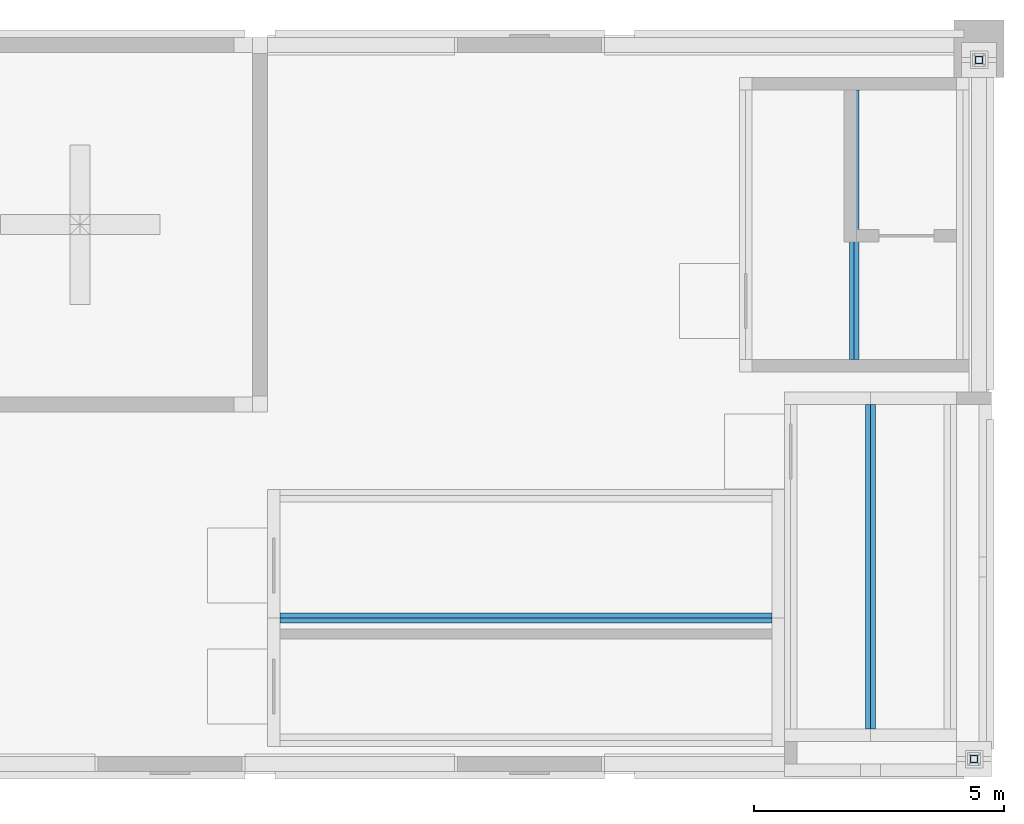
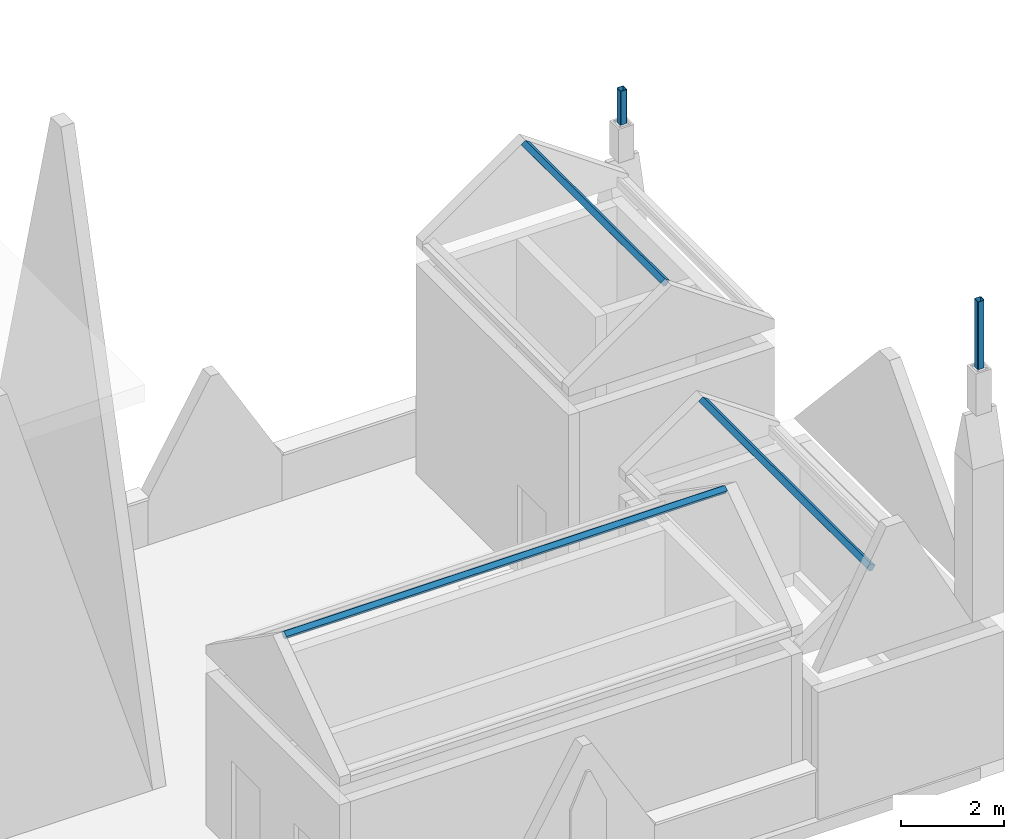
# One storey, part 2 of 10: 5 members.
"""IFC4 building model written with IfcOpenShell, lengths in metres."""

from ifc_helpers import new_model, si_unit, direction, frame, origin, origin_2d, place, context, subcontext, project, spatial, polyline, hollow_rectangle, outline, extrude, material, material_profile, profile_set, type_object, element, save


model = new_model("IFC4")

# Units and contexts
model_context = context("Model", 3, precision=1e-05, world=origin(), true_north=direction((0.0, 1.0)))
body_context = subcontext(model_context, "Body", "Model", "MODEL_VIEW")
ifc_project = project(units=[si_unit("LENGTHUNIT", "METRE"), si_unit("AREAUNIT", "SQUARE_METRE"), si_unit("VOLUMEUNIT", "CUBIC_METRE"), si_unit("PLANEANGLEUNIT", "RADIAN"), si_unit("MASSUNIT", "GRAM", prefix="KILO")], contexts=[model_context])

# Site, building, storey
site_placement = place(None, origin())
site = spatial("IfcSite", under=ifc_project, at=site_placement, CompositionType="ELEMENT")
building_placement = place(site_placement, origin())
building = spatial("IfcBuilding", under=site, at=building_placement, Name="Silangan Lancet Faculty of Sciences", CompositionType="ELEMENT")
storey_placement = place(building_placement, frame((0.0, 0.0, 81.300048828125)))
storey = spatial("IfcBuildingStorey", under=building, at=storey_placement, Name="ROOF", CompositionType="ELEMENT", Elevation=81.300048828125)

# Members
ifc_material_1 = material(Name="Concrete C35/45 precast", Category="concrete")
ifc_material_profile_1 = material_profile(ifc_material_1, outline(polyline([(0.0, 0.0), (0.098876953125, -0.069091796875), (0.030029296875, -0.16748046875), (-0.030029296875, -0.16748046875), (-0.098876953125, -0.069091796875), (0.0, 0.0)])), Name="ridge rib")
ifc_profile_set_1 = profile_set([ifc_material_profile_1], Name="Concrete C35/45 precast")
member_type_1 = type_object("IfcMemberType", Name="Head-house ridge rib", PredefinedType="USERDEFINED", material=ifc_profile_set_1)
member_1_placement = place(storey_placement, frame((26.625, 0.699951171875, 4.866455078125), z_axis=(0.0, 1.0, 0.0), x_axis=(-1.0, 0.0, 0.0)))
element("IfcMember", 1, at=member_1_placement, inside=storey, type_object=member_type_1, Name="Head-house ST-B ridge rib", ObjectType="RIDGE RIB", PredefinedType="USERDEFINED", context=body_context, shape_type="SweptSolid", body=[
    extrude(outline(polyline([(0.0, 0.0), (0.098876953125, -0.069091796875), (0.030029296875, -0.16748046875), (-0.030029296875, -0.16748046875), (-0.098876953125, -0.069091796875), (0.0, 0.0)])), origin(), (0.0, 0.0, 1.0), 6.5),
])
member_2_placement = place(storey_placement, frame((26.300048828125, 8.10009765625, 7.218994140625), z_axis=(0.0, 1.0, 0.0), x_axis=(-1.0, 0.0, 0.0)))
element("IfcMember", 2, at=member_2_placement, inside=storey, type_object=member_type_1, Name="Head-house ST-P ridge rib", ObjectType="RIDGE RIB", PredefinedType="USERDEFINED", context=body_context, shape_type="SweptSolid", body=[
    extrude(outline(polyline([(0.0, 0.0), (0.098876953125, -0.069091796875), (0.030029296875, -0.16748046875), (-0.030029296875, -0.16748046875), (-0.098876953125, -0.069091796875), (0.0, 0.0)])), origin(), (0.0, 0.0, 1.0), 5.39990234375),
])
member_3_placement = place(storey_placement, frame((14.800048828125, 2.925048828125, 6.0615234375), z_axis=(1.0, 0.0, 0.0), x_axis=(0.0, 1.0, 0.0)))
element("IfcMember", 3, at=member_3_placement, inside=storey, type_object=member_type_1, Name="Head-house ST-PL ridge rib", ObjectType="RIDGE RIB", PredefinedType="USERDEFINED", context=body_context, shape_type="SweptSolid", body=[
    extrude(outline(polyline([(0.0, 0.0), (0.098876953125, -0.069091796875), (0.030029296875, -0.16748046875), (-0.030029296875, -0.16748046875), (-0.098876953125, -0.069091796875), (0.0, 0.0)])), origin(), (0.0, 0.0, 1.0), 9.849853515625),
])
ifc_material_2 = material(Name="Steel STKR400", Category="steel")
ifc_material_profile_2 = material_profile(ifc_material_2, hollow_rectangle(XDim=0.14990234375, YDim=0.14990234375, WallThickness=0.009033203125, InnerFilletRadius=0.009033203125, OuterFilletRadius=0.01806640625, at=origin_2d()), Name="SHS 150x150x9.0")
ifc_profile_set_2 = profile_set([ifc_material_profile_2], Name="Steel STKR400")
member_type_2 = type_object("IfcMemberType", Name="Pinnacle tower corner SHS 150x150x9.0", PredefinedType="USERDEFINED", material=ifc_profile_set_2)
member_4_placement = place(storey_placement, frame((28.699951171875, 0.10009765625, 9.14990234375), z_axis=(0.0, 0.0, 1.0), x_axis=(1.0, 0.0, 0.0)))
element("IfcMember", 4, at=member_4_placement, inside=storey, type_object=member_type_2, Name="Tower corner pinnacle ST SE", ObjectType="PINNACLE", PredefinedType="USERDEFINED", context=body_context, shape_type="SweptSolid", body=[
    extrude(hollow_rectangle(XDim=0.14990234375, YDim=0.14990234375, WallThickness=0.009033203125, InnerFilletRadius=0.009033203125, OuterFilletRadius=0.01806640625, at=origin_2d()), origin(), (0.0, 0.0, 1.0), 1.60009765625),
])
member_5_placement = place(storey_placement, frame((28.800048828125, 14.10009765625, 6.39990234375), z_axis=(0.0, 0.0, 1.0), x_axis=(1.0, 0.0, 0.0)))
element("IfcMember", 5, at=member_5_placement, inside=storey, type_object=member_type_2, Name="Tower corner pinnacle ST NE", ObjectType="PINNACLE", PredefinedType="USERDEFINED", context=body_context, shape_type="SweptSolid", body=[
    extrude(hollow_rectangle(XDim=0.14990234375, YDim=0.14990234375, WallThickness=0.009033203125, InnerFilletRadius=0.009033203125, OuterFilletRadius=0.01806640625, at=origin_2d()), origin(), (0.0, 0.0, 1.0), 0.800048828125),
])

save(model, "model.ifc")
